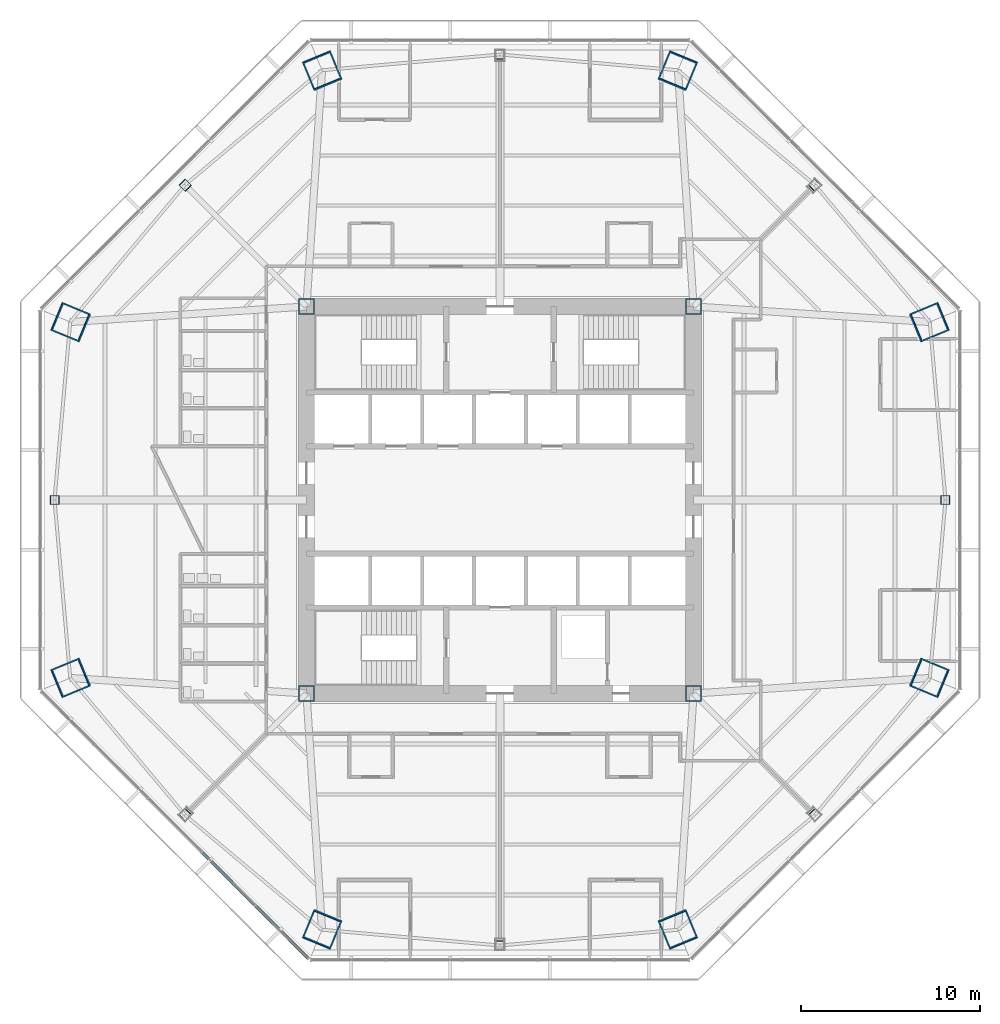
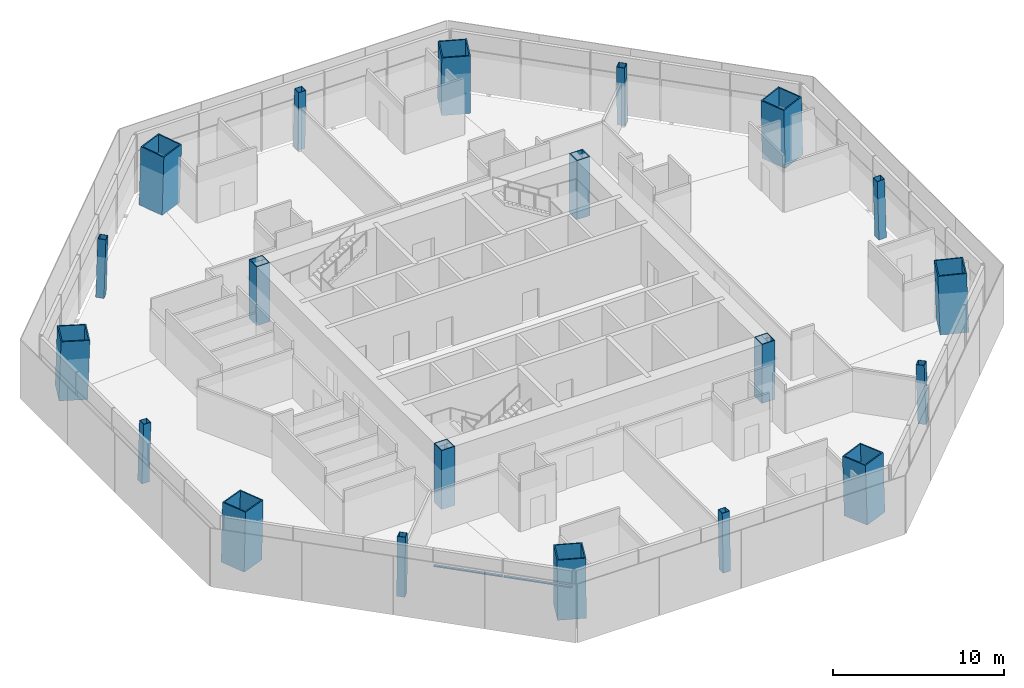
# One storey, part 1 of 18: 20 columns, 2 members, 1 element without a shape of its own.
"""IFC4 building model written with IfcOpenShell, lengths in metres."""

from ifc_helpers import new_model, si_unit, direction, frame, origin, origin_2d, place, context, subcontext, project, spatial, rectangle, hollow_rectangle, extrude, source, transform, mapped, material, material_profile, profile_set, type_object, type_shapes, element, aggregate, save


model = new_model("IFC4")

# Units and contexts
model_context = context("Model", 3, precision=1e-05, world=origin(), true_north=direction((0.0, 1.0)))
body_context = subcontext(model_context, "Body", "Model", "MODEL_VIEW")
ifc_project = project(units=[si_unit("LENGTHUNIT", "METRE"), si_unit("AREAUNIT", "SQUARE_METRE"), si_unit("VOLUMEUNIT", "CUBIC_METRE"), si_unit("PLANEANGLEUNIT", "RADIAN"), si_unit("MASSUNIT", "GRAM", prefix="KILO")], contexts=[model_context])

# Site, building, storey
site_placement = place(None, origin())
site = spatial("IfcSite", under=ifc_project, at=site_placement, CompositionType="ELEMENT")
building_placement = place(site_placement, origin())
building = spatial("IfcBuilding", under=site, at=building_placement, Name="Mashrafa Tower", CompositionType="ELEMENT")
storey_placement = place(building_placement, frame((0.0, 0.0, 83.39990234375)))
storey = spatial("IfcBuildingStorey", under=building, at=storey_placement, Name="L18", CompositionType="ELEMENT", Elevation=83.39990234375)

# Columns
ifc_material_1 = material(Name="Steel ASTM A572 Gr 50", Category="steel")
ifc_material_profile_1 = material_profile(ifc_material_1, hollow_rectangle(XDim=0.89990234375, YDim=0.89990234375, WallThickness=0.06005859375, at=origin_2d()), Name="BOX900X900X60")
ifc_profile_set_1 = profile_set([ifc_material_profile_1], Name="Steel ASTM A572 Gr 50")
column_type_1 = type_object("IfcColumnType", Name="Core corner column BOX900X900X60", PredefinedType="COLUMN", material=ifc_profile_set_1)
for number, where, z_axis, x_axis, name in (
    (1, (10.800048828125, 10.800048828125, 0.0), (0.0, 0.0, 1.0), (1.0, 0.0, 0.0), "Core corner column CC-NE L18"),
    (2, (-10.800048828125, 10.800048828125, 0.0), (0.0, 0.0, 1.0), (1.0, 0.0, 0.0), "Core corner column CC-NW L18"),
    (3, (-10.800048828125, -10.800048828125, 0.0), (0.0, 0.0, 1.0), (1.0, 0.0, 0.0), "Core corner column CC-SW L18"),
    (4, (10.800048828125, -10.800048828125, 0.0), (0.0, 0.0, 1.0), (1.0, 0.0, 0.0), "Core corner column CC-SE L18"),
):
    element("IfcColumn", number, at=place(storey_placement, frame(where, z_axis=z_axis, x_axis=x_axis)), inside=storey, type_object=column_type_1, Name=name, PredefinedType="COLUMN", context=body_context, shape_type="SweptSolid", body=[
        extrude(hollow_rectangle(XDim=0.89990234375, YDim=0.89990234375, WallThickness=0.06005859375, at=origin_2d()), origin(), (0.0, 0.0, 1.0), 4.2001953125),
    ])
ifc_material_2 = material(Name="Steel ASTM A572 Gr 50", Category="steel")
ifc_material_profile_2 = material_profile(ifc_material_2, hollow_rectangle(XDim=1.699951171875, YDim=1.699951171875, WallThickness=0.080078125, at=origin_2d()), Name="BOX1700X1700X80")
ifc_profile_set_2 = profile_set([ifc_material_profile_2], Name="Steel ASTM A572 Gr 50")
column_type_2 = type_object("IfcColumnType", Name="Mega column CFST BOX1700X1700X80", PredefinedType="COLUMN", material=ifc_profile_set_2)
for number, where, z_axis, x_axis, name in (
    (5, (23.977294921875, 9.931640625, 0.0), (-0.028294106277, -0.011677854952, 0.999531425846), (0.38151339852, -0.924363308851, 0.0), "Mega column MC1 L18"),
    (6, (9.931640625, 23.977294921875, 0.0), (-0.011677854952, -0.028294106277, 0.999531425846), (0.924363308851, -0.38151339852, 0.0), "Mega column MC2 L18"),
    (7, (-9.931640625, 23.977294921875, 0.0), (0.011677854952, -0.028294106277, 0.999531425846), (0.924363308851, 0.38151339852, 0.0), "Mega column MC3 L18"),
    (8, (-23.977294921875, 9.931640625, 0.0), (0.028294106277, -0.011677854952, 0.999531425846), (0.38151339852, 0.924363308851, 0.0), "Mega column MC4 L18"),
    (9, (-23.977294921875, -9.931640625, 0.0), (0.028294106277, 0.011677854952, 0.999531425846), (-0.38151339852, 0.924363308851, 0.0), "Mega column MC5 L18"),
    (10, (-9.931640625, -23.977294921875, 0.0), (0.011677854952, 0.028294106277, 0.999531425846), (-0.924363308851, 0.38151339852, 0.0), "Mega column MC6 L18"),
    (11, (9.931640625, -23.977294921875, 0.0), (-0.011677854952, 0.028294106277, 0.999531425846), (-0.924363308851, -0.38151339852, 0.0), "Mega column MC7 L18"),
    (12, (23.977294921875, -9.931640625, 0.0), (-0.028294106277, 0.011677854952, 0.999531425846), (-0.38151339852, -0.924363308851, 0.0), "Mega column MC8 L18"),
):
    element("IfcColumn", number, at=place(storey_placement, frame(where, z_axis=z_axis, x_axis=x_axis)), inside=storey, type_object=column_type_2, Name=name, PredefinedType="COLUMN", context=body_context, shape_type="SweptSolid", body=[
        extrude(hollow_rectangle(XDim=1.699951171875, YDim=1.699951171875, WallThickness=0.080078125, at=origin_2d()), origin(), (0.0, 0.0, 1.0), 4.2021484375),
    ])
ifc_material_3 = material(Name="Steel ASTM A572 Gr 50", Category="steel")
ifc_material_profile_3 = material_profile(ifc_material_3, hollow_rectangle(XDim=0.5, YDim=0.5, WallThickness=0.02490234375, at=origin_2d()), Name="BOX500X500X25")
ifc_profile_set_3 = profile_set([ifc_material_profile_3], Name="Steel ASTM A572 Gr 50")
column_type_3 = type_object("IfcColumnType", Name="Secondary column BOX500X500X25", PredefinedType="COLUMN", material=ifc_profile_set_3)
for number, where, z_axis, x_axis, name in (
    (13, (24.85546875, 0.0, 0.0), (-0.02829603574, 0.0, 0.999599587015), (0.0, -1.0, 0.0), "Secondary column SC1 L18"),
    (14, (17.575439453125, 17.575439453125, 0.0), (-0.019987360289, -0.019987360289, 0.999600425599), (0.707106781187, -0.707106781187, 0.0), "Secondary column SC2 L18"),
    (15, (0.0, 24.85546875, 0.0), (0.0, -0.02829603574, 0.999599587015), (1.0, 0.0, 0.0), "Secondary column SC3 L18"),
    (16, (-17.575439453125, 17.575439453125, 0.0), (0.019987360289, -0.019987360289, 0.999600425599), (0.707106781187, 0.707106781187, 0.0), "Secondary column SC4 L18"),
    (17, (-24.85546875, 0.0, 0.0), (0.02829603574, 0.0, 0.999599587015), (0.0, 1.0, 0.0), "Secondary column SC5 L18"),
    (18, (-17.575439453125, -17.575439453125, 0.0), (0.019987360289, 0.019987360289, 0.999600425599), (-0.707106781187, 0.707106781187, 0.0), "Secondary column SC6 L18"),
    (19, (0.0, -24.85546875, 0.0), (0.0, 0.02829603574, 0.999599587015), (-1.0, 0.0, 0.0), "Secondary column SC7 L18"),
    (20, (17.575439453125, -17.575439453125, 0.0), (-0.019987360289, 0.019987360289, 0.999600425599), (-0.707106781187, -0.707106781187, 0.0), "Secondary column SC8 L18"),
):
    element("IfcColumn", number, at=place(storey_placement, frame(where, z_axis=z_axis, x_axis=x_axis)), inside=storey, type_object=column_type_3, Name=name, PredefinedType="COLUMN", context=body_context, shape_type="SweptSolid", body=[
        extrude(hollow_rectangle(XDim=0.5, YDim=0.5, WallThickness=0.02490234375, at=origin_2d()), origin(), (0.0, 0.0, 1.0), 4.201904296875),
    ])

# Curtain wall, members
ifc_material_4 = material(Name="Unitised aluminium curtain wall", Category="aluminium")
curtain_wall_type = type_object("IfcCurtainWallType", Name="Office curtain wall, zone 1 CW-A 200 deep", PredefinedType="NOTDEFINED", material=ifc_material_4)
curtain_wall_placement = place(storey_placement, origin())
curtain_wall = element("IfcCurtainWall", 21, at=curtain_wall_placement, inside=storey, type_object=curtain_wall_type, Name="Office curtain wall, zone 1 L18 south-west", PredefinedType="NOTDEFINED")
ifc_material_5 = material(Name="Extruded aluminium transom", Category="aluminium")
ifc_material_profile_4 = material_profile(ifc_material_5, rectangle(XDim=0.159912109375, YDim=0.080078125, at=origin_2d()), Name="Transom 80x160")
ifc_profile_set_4 = profile_set([ifc_material_profile_4], Name="Extruded aluminium transom")
member_type = type_object("IfcMemberType", Name="Transom CW-A 80 x 160", PredefinedType="MULLION", material=ifc_profile_set_4)
shared_shape_1 = source(origin(), body_context, "Body", "SweptSolid", [
    extrude(rectangle(XDim=0.159912109375, YDim=0.080078125, at=origin_2d()), origin(), (0.0, 0.0, 1.0), 4.165283203125),
])
member_1_placement = place(storey_placement, frame((-16.62255859375, -19.65966796875, 3.0), z_axis=(0.707106781187, -0.707106781187, 0.0), x_axis=(0.707106781187, 0.707106781187, 0.0)))
member_1 = element("IfcMember", 22, at=member_1_placement, type_object=member_type, Name="CW-A transom 4", PredefinedType="MULLION", context=body_context, shape_type="MappedRepresentation", body=[
    mapped(shared_shape_1, transform((0.0, 0.0, 0.0))),
])
shared_shape_2 = source(origin(), body_context, "Body", "SweptSolid", [
    extrude(rectangle(XDim=0.159912109375, YDim=0.080078125, at=origin_2d()), origin(), (0.0, 0.0, 1.0), 4.132568359375),
])
type_shapes(member_type, [shared_shape_1, shared_shape_2])
member_2_placement = place(storey_placement, frame((-13.63134765625, -22.65087890625, 3.0), z_axis=(0.707077242712, -0.707136318428, 0.0), x_axis=(0.707136318428, 0.707077242712, 0.0)))
member_2 = element("IfcMember", 23, at=member_2_placement, type_object=member_type, Name="CW-A transom 5", PredefinedType="MULLION", context=body_context, shape_type="MappedRepresentation", body=[
    mapped(shared_shape_2, transform((0.0, 0.0, 0.0))),
])
aggregate(curtain_wall, [member_1, member_2])

save(model, "model.ifc")
